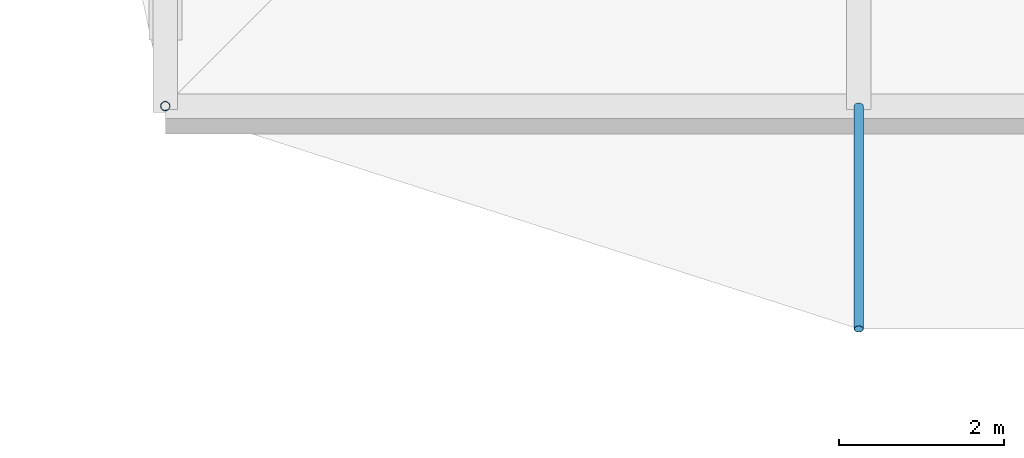
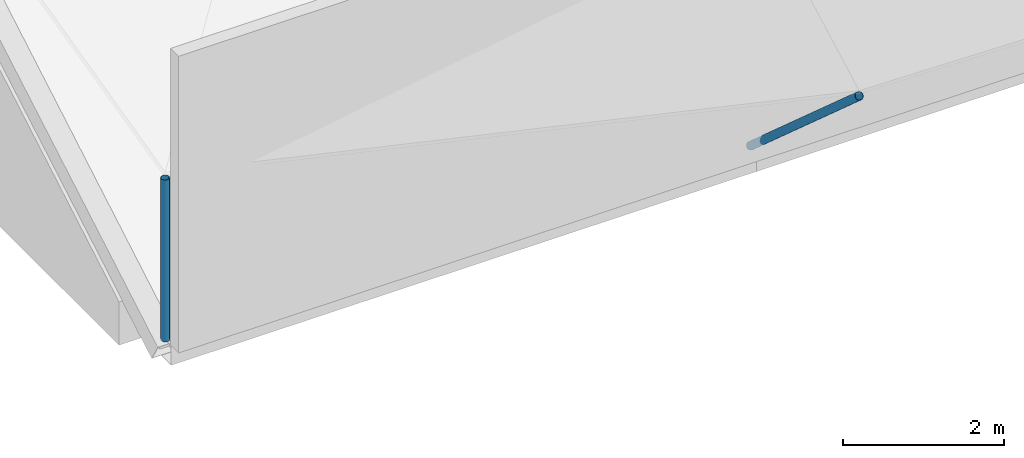
# One storey, part 40 of 111: 2 discrete accessories.
"""IFC4 building model written with IfcOpenShell, lengths in metres."""

from ifc_helpers import new_model, si_unit, direction, frame, origin, origin_2d, place, context, subcontext, project, spatial, hollow_circle, extrude, material, material_profile, profile_set, type_object, element, save


model = new_model("IFC4")

# Units and contexts
model_context = context("Model", 3, precision=1e-05, world=origin(), true_north=direction((0.0, 1.0)))
body_context = subcontext(model_context, "Body", "Model", "MODEL_VIEW")
ifc_project = project(units=[si_unit("LENGTHUNIT", "METRE"), si_unit("AREAUNIT", "SQUARE_METRE"), si_unit("VOLUMEUNIT", "CUBIC_METRE"), si_unit("PLANEANGLEUNIT", "RADIAN"), si_unit("MASSUNIT", "GRAM", prefix="KILO")], contexts=[model_context])

# Site, building, storey
site_placement = place(None, origin())
site = spatial("IfcSite", under=ifc_project, at=site_placement, CompositionType="ELEMENT")
building_placement = place(site_placement, origin())
building = spatial("IfcBuilding", under=site, at=building_placement, Name="Rain Tree Exposition and Congress Centre", CompositionType="ELEMENT")
storey_placement = place(building_placement, frame((0.0, 0.0, 19.5)))
storey = spatial("IfcBuildingStorey", under=building, at=storey_placement, Name="RF", CompositionType="ELEMENT", Elevation=19.5)

# Discrete accessories
ifc_material = material(Name="Steel S355J2H", Category="steel")
ifc_material_profile = material_profile(ifc_material, hollow_circle(Radius=0.05712890625, WallThickness=0.00439453125, at=origin_2d()), Name="CHS 114x4.5")
ifc_profile_set = profile_set([ifc_material_profile], Name="Steel S355J2H")
discrete_accessory_type = type_object("IfcDiscreteAccessoryType", Name="Roof skin post CHS 114x4.5", PredefinedType="BRACKET", material=ifc_profile_set)
discrete_accessory_1_placement = place(storey_placement, frame((142.800048828125, 100.800048828125, 0.5), z_axis=(0.0, 0.0, 1.0), x_axis=(1.0, 0.0, 0.0)))
element("IfcDiscreteAccessory", 1, at=discrete_accessory_1_placement, inside=storey, type_object=discrete_accessory_type, Name="Roof skin post B1", PredefinedType="BRACKET", context=body_context, shape_type="SweptSolid", body=[
    extrude(hollow_circle(Radius=0.05712890625, WallThickness=0.00439453125, at=origin_2d()), origin(), (0.0, 0.0, 1.0), 2.458740234375),
])
discrete_accessory_2_placement = place(storey_placement, frame((151.199951171875, 100.800048828125, 0.5), z_axis=(0.0, -0.748390453968, 0.663258417519), x_axis=(1.0, 0.0, 0.0)))
element("IfcDiscreteAccessory", 2, at=discrete_accessory_2_placement, inside=storey, type_object=discrete_accessory_type, Name="Roof skin post B2", PredefinedType="BRACKET", context=body_context, shape_type="SweptSolid", body=[
    extrude(hollow_circle(Radius=0.05712890625, WallThickness=0.00439453125, at=origin_2d()), origin(), (0.0, 0.0, 1.0), 3.607666015625),
])

save(model, "model.ifc")
